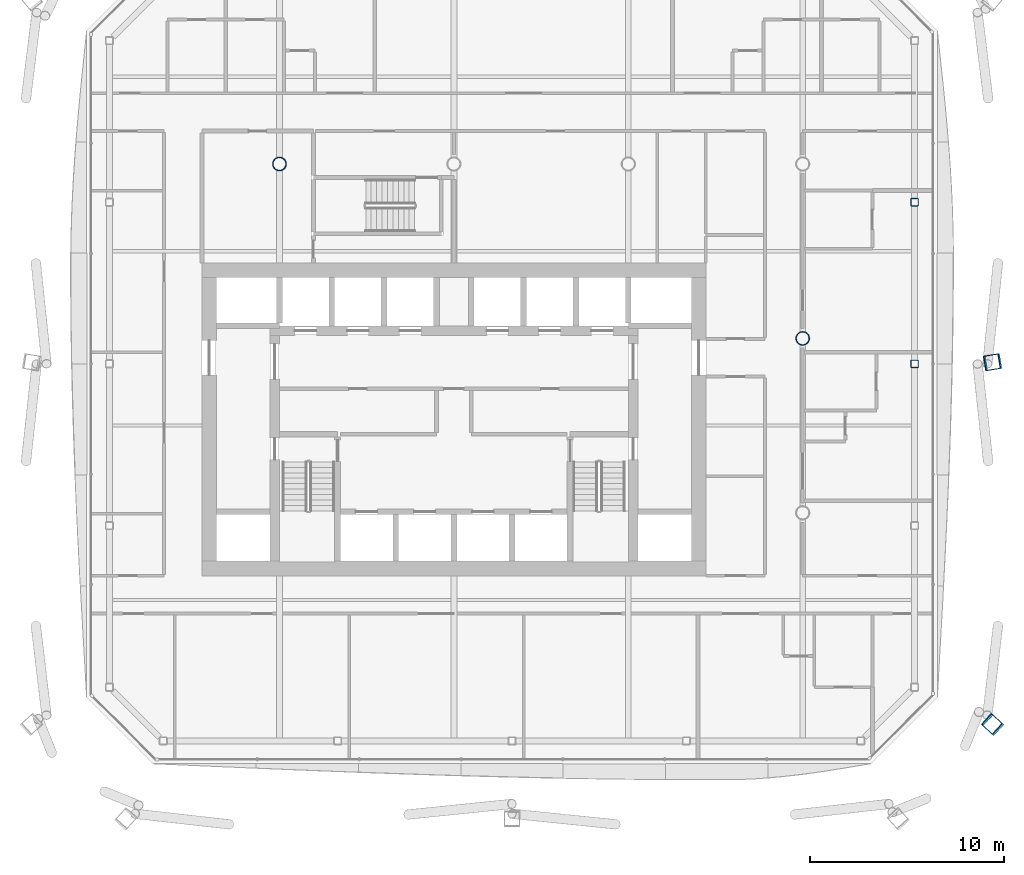
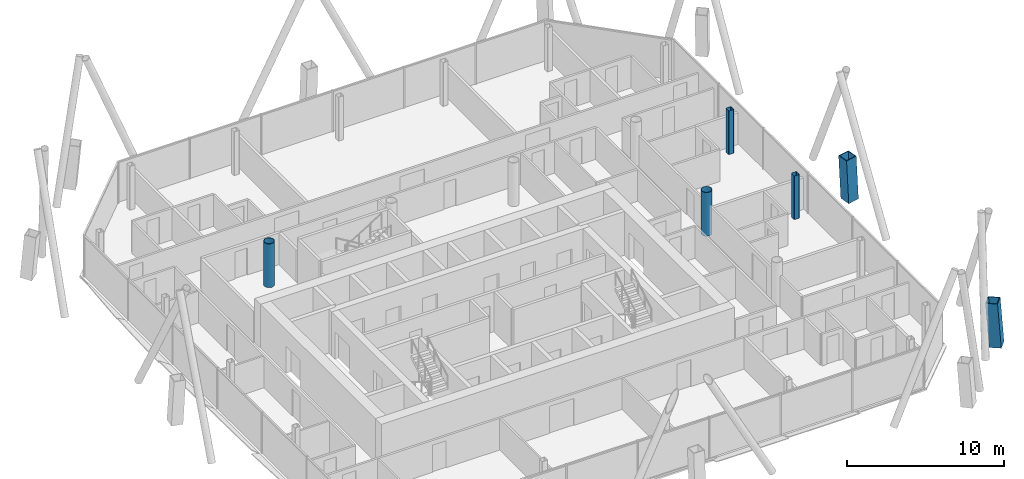
# One storey, part 2 of 20: 6 columns.
"""IFC4 building model written with IfcOpenShell, lengths in metres."""

from ifc_helpers import new_model, si_unit, direction, frame, origin, origin_2d, place, context, subcontext, project, spatial, hollow_rectangle, hollow_circle, extrude, material, material_profile, profile_set, type_object, element, save


model = new_model("IFC4")

# Units and contexts
model_context = context("Model", 3, precision=1e-05, world=origin(), true_north=direction((0.0, 1.0)))
body_context = subcontext(model_context, "Body", "Model", "MODEL_VIEW")
ifc_project = project(units=[si_unit("LENGTHUNIT", "METRE"), si_unit("AREAUNIT", "SQUARE_METRE"), si_unit("VOLUMEUNIT", "CUBIC_METRE"), si_unit("PLANEANGLEUNIT", "RADIAN"), si_unit("MASSUNIT", "GRAM", prefix="KILO")], contexts=[model_context])

# Site, building, storey
site_placement = place(None, origin())
site = spatial("IfcSite", under=ifc_project, at=site_placement, CompositionType="ELEMENT")
building_placement = place(site_placement, origin())
building = spatial("IfcBuilding", under=site, at=building_placement, Name="Tskaro Facet Tower", CompositionType="ELEMENT")
storey_placement = place(building_placement, frame((0.0, 0.0, 152.10009765625)))
storey = spatial("IfcBuildingStorey", under=building, at=storey_placement, Name="L37", CompositionType="ELEMENT", Elevation=152.10009765625)

# Columns
ifc_material_1 = material(Name="Steel S460M", Category="steel")
ifc_material_profile_1 = material_profile(ifc_material_1, hollow_rectangle(XDim=0.800048828125, YDim=0.800048828125, WallThickness=0.050048828125, at=origin_2d()), Name="BOX 800x800x50")
ifc_profile_set_1 = profile_set([ifc_material_profile_1], Name="Steel S460M")
column_type_1 = type_object("IfcColumnType", Name="BOX 800x800x50 mega column", PredefinedType="COLUMN", material=ifc_profile_set_1)
column_1_placement = place(storey_placement, frame((27.823974609375, -19.949951171875, 0.0), z_axis=(-0.053642935789, 0.048701196711, 0.997371860882), x_axis=(-0.672180631251, -0.740387195305, 0.0)))
element("IfcColumn", 1, at=column_1_placement, inside=storey, type_object=column_type_1, Name="BOX 800x800x50 MC04/3", PredefinedType="COLUMN", context=body_context, shape_type="SweptSolid", body=[
    extrude(hollow_rectangle(XDim=0.800048828125, YDim=0.800048828125, WallThickness=0.050048828125, at=origin_2d()), origin(), (0.0, 0.0, 1.0), 3.408935546875),
])
column_2_placement = place(storey_placement, frame((27.823974609375, -1.22607421875, 0.0), z_axis=(-0.053704575811, -0.008819309512, 0.998517920879), x_axis=(0.162048444398, -0.986782803695, 0.0)))
element("IfcColumn", 2, at=column_2_placement, inside=storey, type_object=column_type_1, Name="BOX 800x800x50 MC05/3", PredefinedType="COLUMN", context=body_context, shape_type="SweptSolid", body=[
    extrude(hollow_rectangle(XDim=0.800048828125, YDim=0.800048828125, WallThickness=0.050048828125, at=origin_2d()), origin(), (0.0, 0.0, 1.0), 3.405029296875),
])
ifc_material_2 = material(Name="Steel S355J2H", Category="steel")
ifc_material_profile_2 = material_profile(ifc_material_2, hollow_circle(Radius=0.35546875, WallThickness=0.031982421875, at=origin_2d()), Name="CHS 711x32")
ifc_profile_set_2 = profile_set([ifc_material_profile_2], Name="Steel S355J2H")
column_type_2 = type_object("IfcColumnType", Name="CHS 711x32 interior column", PredefinedType="COLUMN", material=ifc_profile_set_2)
for number, where, z_axis, x_axis, name in (
    (3, (-9.0, 9.0, 0.0), (0.0, 0.0, 1.0), (1.0, 0.0, 0.0), "CHS 711x32 C3E/3"),
    (4, (18.0, 0.0, 0.0), (0.0, 0.0, 1.0), (1.0, 0.0, 0.0), "CHS 711x32 C6D/3"),
):
    element("IfcColumn", number, at=place(storey_placement, frame(where, z_axis=z_axis, x_axis=x_axis)), inside=storey, type_object=column_type_2, Name=name, PredefinedType="COLUMN", context=body_context, shape_type="SweptSolid", body=[
        extrude(hollow_circle(Radius=0.35546875, WallThickness=0.031982421875, at=origin_2d()), origin(), (0.0, 0.0, 1.0), 3.39990234375),
    ])
ifc_material_profile_3 = material_profile(ifc_material_2, hollow_rectangle(XDim=0.39990234375, YDim=0.39990234375, WallThickness=0.02001953125, InnerFilletRadius=0.030029296875, OuterFilletRadius=0.050048828125, at=origin_2d()), Name="SHS 400x400x20")
ifc_profile_set_3 = profile_set([ifc_material_profile_3], Name="Steel S355J2H")
column_type_3 = type_object("IfcColumnType", Name="SHS 400x400x20 ring column", PredefinedType="COLUMN", material=ifc_profile_set_3)
for number, where, z_axis, x_axis, name in (
    (5, (23.77392578125, -1.31591796875, 0.0), (0.0, 0.0, 1.0), (1.0, 0.0, 0.0), "SHS 400x400x20 RE-3/3"),
    (6, (23.77392578125, 7.02587890625, 0.0), (0.0, 0.0, 1.0), (1.0, 0.0, 0.0), "SHS 400x400x20 RE-4/3"),
):
    element("IfcColumn", number, at=place(storey_placement, frame(where, z_axis=z_axis, x_axis=x_axis)), inside=storey, type_object=column_type_3, Name=name, PredefinedType="COLUMN", context=body_context, shape_type="SweptSolid", body=[
        extrude(hollow_rectangle(XDim=0.39990234375, YDim=0.39990234375, WallThickness=0.02001953125, InnerFilletRadius=0.030029296875, OuterFilletRadius=0.050048828125, at=origin_2d()), origin(), (0.0, 0.0, 1.0), 3.39990234375),
    ])

save(model, "model.ifc")
